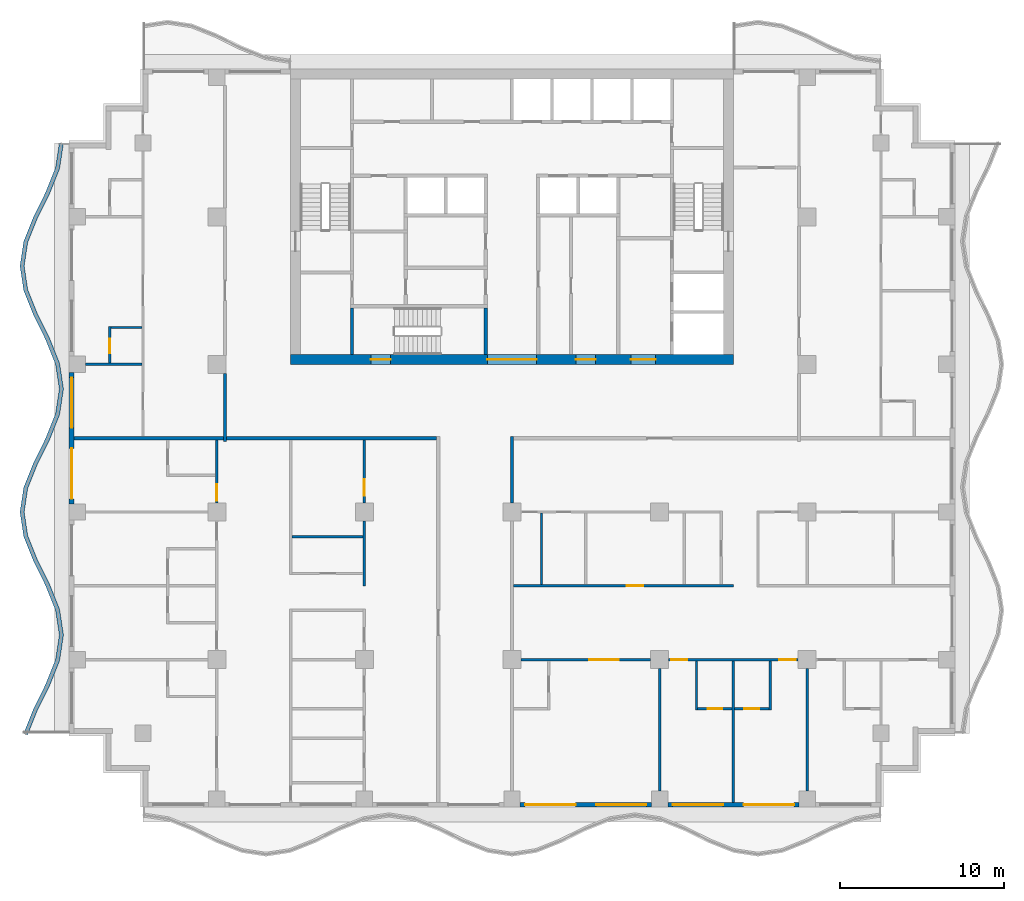
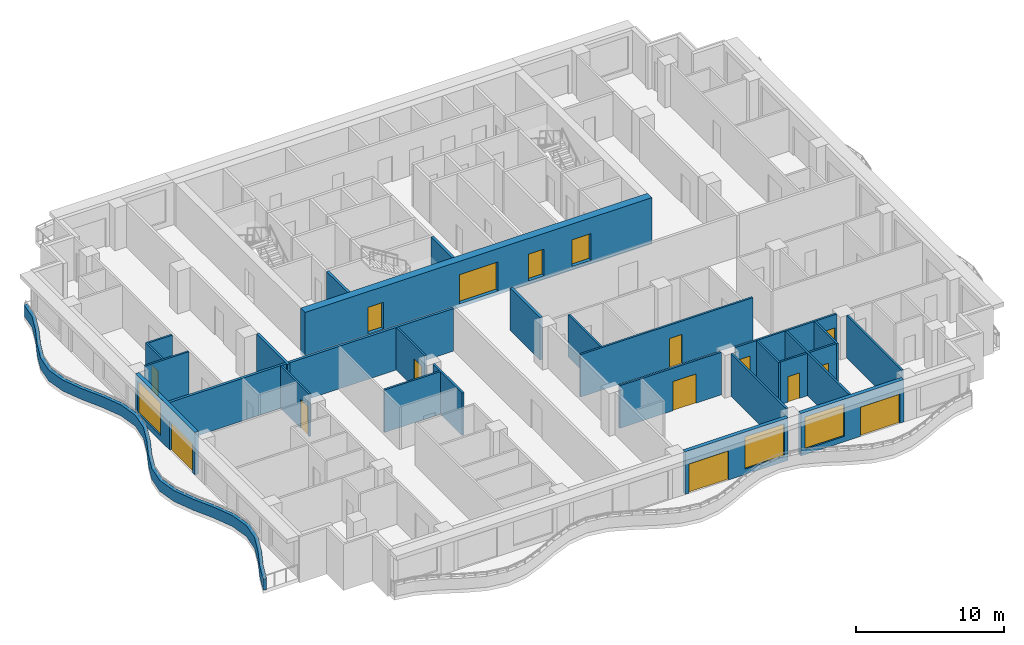
# One storey, part 3 of 12: 29 walls, 16 doors, 3 windows, 19 openings.
"""IFC4 building model written with IfcOpenShell, lengths in metres."""

from ifc_helpers import new_model, si_unit, direction, frame, frame_2d, origin, place, context, subcontext, project, spatial, polyline, rectangle, outline, extrude, material, layer, layer_set, type_object, element, fill, save


model = new_model("IFC4")

# Units and contexts
model_context = context("Model", 3, precision=1e-05, world=origin(), true_north=direction((0.0, 1.0)))
body_context = subcontext(model_context, "Body", "Model", "MODEL_VIEW")
ifc_project = project(units=[si_unit("LENGTHUNIT", "METRE"), si_unit("AREAUNIT", "SQUARE_METRE"), si_unit("VOLUMEUNIT", "CUBIC_METRE"), si_unit("PLANEANGLEUNIT", "RADIAN"), si_unit("MASSUNIT", "GRAM", prefix="KILO")], contexts=[model_context])

# Site, building, storey
site_placement = place(None, origin())
site = spatial("IfcSite", under=ifc_project, at=site_placement, CompositionType="ELEMENT")
building_placement = place(site_placement, origin())
building = spatial("IfcBuilding", under=site, at=building_placement, Name="Orbiselva Terraces", CompositionType="ELEMENT")
storey_placement = place(building_placement, frame((0.0, 0.0, 203.4)))
storey = spatial("IfcBuildingStorey", under=building, at=storey_placement, Name="L51", CompositionType="ELEMENT", Elevation=203.4)

# Wall, openings, doors
ifc_material_1 = material(Name="Concrete C80/95", Category="concrete")
ifc_layer_1 = layer(ifc_material_1, 0.6)
ifc_layer_set_1 = layer_set([ifc_layer_1], Name="Concrete C80/95")
wall_type_1 = type_object("IfcWallType", Name="CORE WALL 600", PredefinedType="SHEAR", material=ifc_layer_set_1)
wall_1_placement = place(storey_placement, frame((-13.5, 4.8, -0.3), z_axis=(0.0, 0.0, 1.0), x_axis=(1.0, 0.0, 0.0)))
wall_1 = element("IfcWall", 1, at=wall_1_placement, inside=storey, type_object=wall_type_1, Name="Core wall L51 south", PredefinedType="SHEAR", context=body_context, shape_type="SweptSolid", body=[
    extrude(rectangle(XDim=27.0, YDim=0.6, at=frame_2d((13.5, 0.0))), origin(), (0.0, 0.0, 1.0), 3.8),
])
opening_1_placement = place(wall_1_placement, frame((12.0, 0.0, 0.3)))
opening_1 = element("IfcOpeningElement", 2, at=opening_1_placement, cuts=wall_1, Name="Opening DL3000", PredefinedType="OPENING", context=body_context, shape_type="SweptSolid", body=[
    extrude(rectangle(XDim=3.0, YDim=2.4, at=frame_2d((1.5, 1.2))), frame((0.0, 0.31, 0.0), z_axis=(0.0, -1.0, 0.0), x_axis=(1.0, 0.0, 0.0)), (0.0, 0.0, 1.0), 0.62),
])
opening_2_placement = place(wall_1_placement, frame((4.9, 0.0, 0.3)))
opening_2 = element("IfcOpeningElement", 3, at=opening_2_placement, cuts=wall_1, Name="Opening DS1200", PredefinedType="OPENING", context=body_context, shape_type="SweptSolid", body=[
    extrude(rectangle(XDim=1.2, YDim=2.2, at=frame_2d((0.6, 1.1))), frame((0.0, 0.31, 0.0), z_axis=(0.0, -1.0, 0.0), x_axis=(1.0, 0.0, 0.0)), (0.0, 0.0, 1.0), 0.62),
])
opening_3_placement = place(wall_1_placement, frame((20.75, 0.0, 0.3)))
opening_3 = element("IfcOpeningElement", 4, at=opening_3_placement, cuts=wall_1, Name="Opening DF1500", PredefinedType="OPENING", context=body_context, shape_type="SweptSolid", body=[
    extrude(rectangle(XDim=1.5, YDim=2.2, at=frame_2d((0.75, 1.1))), frame((0.0, 0.31, 0.0), z_axis=(0.0, -1.0, 0.0), x_axis=(1.0, 0.0, 0.0)), (0.0, 0.0, 1.0), 0.62),
])
opening_4_placement = place(wall_1_placement, frame((17.4, 0.0, 0.3)))
opening_4 = element("IfcOpeningElement", 5, at=opening_4_placement, cuts=wall_1, Name="Opening DV1200", PredefinedType="OPENING", context=body_context, shape_type="SweptSolid", body=[
    extrude(rectangle(XDim=1.2, YDim=2.2, at=frame_2d((0.6, 1.1))), frame((0.0, 0.31, 0.0), z_axis=(0.0, -1.0, 0.0), x_axis=(1.0, 0.0, 0.0)), (0.0, 0.0, 1.0), 0.62),
])
ifc_material_2 = material(Name="Steel fire door", Category="steel")
door_type_1 = type_object("IfcDoorType", Name="FFL DOOR 1500", OperationType="DOUBLE_DOOR_SINGLE_SWING", PredefinedType="DOOR", material=ifc_material_2)
door_1_placement = place(opening_3_placement, frame((1.5, 0.0, 0.0), z_axis=(0.0, 0.0, 1.0), x_axis=(-1.0, 0.0, 0.0)))
door_1 = element("IfcDoor", 6, at=door_1_placement, inside=storey, type_object=door_type_1, Name="L51 FIRE-FIGHTING LOBBY door", OperationType="DOUBLE_DOOR_SINGLE_SWING", OverallHeight=2.2, OverallWidth=1.5, PredefinedType="DOOR", context=body_context, shape_type="SweptSolid", body=[
    extrude(rectangle(XDim=1.5, YDim=2.2, at=frame_2d((0.75, 1.1))), frame((0.0, 0.025, 0.0), z_axis=(0.0, -1.0, 0.0), x_axis=(1.0, 0.0, 0.0)), (0.0, 0.0, 1.0), 0.05),
])
fill(opening_3, door_1)
door_type_2 = type_object("IfcDoorType", Name="LOBBY DOOR 3000", OperationType="DOUBLE_DOOR_SINGLE_SWING", PredefinedType="DOOR", material=ifc_material_2)
door_2_placement = place(opening_1_placement, frame((3.0, 0.0, 0.0), z_axis=(0.0, 0.0, 1.0), x_axis=(-1.0, 0.0, 0.0)))
door_2 = element("IfcDoor", 7, at=door_2_placement, inside=storey, type_object=door_type_2, Name="L51 LIFT LOBBY door", OperationType="DOUBLE_DOOR_SINGLE_SWING", OverallHeight=2.4, OverallWidth=3.0, PredefinedType="DOOR", context=body_context, shape_type="SweptSolid", body=[
    extrude(rectangle(XDim=3.0, YDim=2.4, at=frame_2d((1.5, 1.2))), frame((0.0, 0.025, 0.0), z_axis=(0.0, -1.0, 0.0), x_axis=(1.0, 0.0, 0.0)), (0.0, 0.0, 1.0), 0.05),
])
fill(opening_1, door_2)
door_type_3 = type_object("IfcDoorType", Name="SERVICE DOOR 1200", OperationType="NOTDEFINED", PredefinedType="DOOR", material=ifc_material_2)
door_3_placement = place(opening_4_placement, frame((1.2, 0.0, 0.0), z_axis=(0.0, 0.0, 1.0), x_axis=(-1.0, 0.0, 0.0)))
door_3 = element("IfcDoor", 8, at=door_3_placement, inside=storey, type_object=door_type_3, Name="L51 SERVICE ROOM door", OperationType="SINGLE_SWING_RIGHT", OverallHeight=2.2, OverallWidth=1.2, PredefinedType="DOOR", context=body_context, shape_type="SweptSolid", body=[
    extrude(rectangle(XDim=1.2, YDim=2.2, at=frame_2d((0.6, 1.1))), frame((0.0, 0.025, 0.0), z_axis=(0.0, -1.0, 0.0), x_axis=(1.0, 0.0, 0.0)), (0.0, 0.0, 1.0), 0.05),
])
fill(opening_4, door_3)
door_type_4 = type_object("IfcDoorType", Name="STAIR DOOR 1200", OperationType="NOTDEFINED", PredefinedType="DOOR", material=ifc_material_2)
door_4_placement = place(opening_2_placement, frame((1.2, 0.0, 0.0), z_axis=(0.0, 0.0, 1.0), x_axis=(-1.0, 0.0, 0.0)))
door_4 = element("IfcDoor", 9, at=door_4_placement, inside=storey, type_object=door_type_4, Name="L51 EXIT STAIR S3 door", OperationType="SINGLE_SWING_LEFT", OverallHeight=2.2, OverallWidth=1.2, PredefinedType="DOOR", context=body_context, shape_type="SweptSolid", body=[
    extrude(rectangle(XDim=1.2, YDim=2.2, at=frame_2d((0.6, 1.1))), frame((0.0, 0.025, 0.0), z_axis=(0.0, -1.0, 0.0), x_axis=(1.0, 0.0, 0.0)), (0.0, 0.0, 1.0), 0.05),
])
fill(opening_2, door_4)

# Walls
ifc_material_3 = material(Name="Concrete C60/75", Category="concrete")
ifc_layer_2 = layer(ifc_material_3, 0.2)
ifc_layer_set_2 = layer_set([ifc_layer_2], Name="Concrete C60/75")
wall_type_2 = type_object("IfcWallType", Name="CORE-WALL-SHEAR-200", PredefinedType="SHEAR", material=ifc_layer_set_2)
for number, where, z_axis, x_axis, name in (
    (10, (-9.75, 5.1, 0.0), (0.0, 0.0, 1.0), (0.0, 1.0, 0.0), "L51 core wall 03"),
    (11, (-1.6, 5.1, 0.0), (0.0, 0.0, 1.0), (0.0, 1.0, 0.0), "L51 core wall 22"),
):
    element("IfcWall", number, at=place(storey_placement, frame(where, z_axis=z_axis, x_axis=x_axis)), inside=storey, type_object=wall_type_2, Name=name, PredefinedType="SHEAR", context=body_context, shape_type="SweptSolid", body=[
        extrude(rectangle(XDim=2.85, YDim=0.2, at=frame_2d((1.425, 0.0))), origin(), (0.0, 0.0, 1.0), 3.5),
    ])
ifc_material_4 = material(Name="Concrete C40/50", Category="concrete")
ifc_layer_3 = layer(ifc_material_4, 0.25)
ifc_layer_set_3 = layer_set([ifc_layer_3], Name="Concrete C40/50")
wall_type_3 = type_object("IfcWallType", Name="ENV-PLANTER-250x900", PredefinedType="USERDEFINED", material=ifc_layer_set_3)
wall_2_placement = place(storey_placement, origin())
element("IfcWall", 12, at=wall_2_placement, inside=storey, type_object=wall_type_3, Name="Balcony planter L51 W", ObjectType="PLANTER", PredefinedType="USERDEFINED", context=body_context, shape_type="SweptSolid", body=[
    extrude(outline(polyline([(-27.6, 18.0), (-27.82918, 16.5), (-28.42918, 15.0), (-29.17082, 13.5), (-29.77082, 12.0), (-30.0, 10.5), (-29.77082, 9.0), (-29.17082, 7.5), (-28.42918, 6.0), (-27.82918, 4.5), (-27.6, 3.0), (-27.82918, 1.5), (-28.42918, 0.0), (-29.17082, -1.5), (-29.77082, -3.0), (-30.0, -4.5), (-29.77082, -6.0), (-29.17082, -7.5), (-28.42918, -9.0), (-27.82918, -10.5), (-27.6, -12.0), (-27.82918, -13.5), (-28.42918, -15.0), (-29.17082, -16.5), (-29.77082, -18.0), (-29.538701, -18.092848), (-28.942355, -16.601983), (-28.200715, -15.101983), (-27.586388, -13.566166), (-27.347099, -12.0), (-27.586388, -10.433834), (-28.200715, -8.898017), (-28.942355, -7.398017), (-29.528028, -5.933834), (-29.747099, -4.5), (-29.528028, -3.066166), (-28.942355, -1.601983), (-28.200715, -0.101983), (-27.586388, 1.433834), (-27.347099, 3.0), (-27.586388, 4.566166), (-28.200715, 6.101983), (-28.942355, 7.601983), (-29.528028, 9.066166), (-29.747099, 10.5), (-29.528028, 11.933834), (-28.942355, 13.398017), (-28.200715, 14.898017), (-27.586388, 16.433834), (-27.352868, 17.962242), (-27.6, 18.0)])), origin(), (0.0, 0.0, 1.0), 0.9),
])

# Wall, openings, door, window
ifc_material_5 = material(Name="Terracotta cladding on masonry backing", Category="masonry")
ifc_layer_4 = layer(ifc_material_5, 0.3)
ifc_layer_set_4 = layer_set([ifc_layer_4], Name="Terracotta cladding on masonry backing")
wall_type_4 = type_object("IfcWallType", Name="ENV-WALL-TERRACOTTA-300", PredefinedType="SOLIDWALL", material=ifc_layer_set_4)
wall_3_placement = place(storey_placement, frame((8.5, -22.35, 0.0), z_axis=(0.0, 0.0, 1.0), x_axis=(-1.0, 0.0, 0.0)))
wall_3 = element("IfcWall", 13, at=wall_3_placement, inside=storey, type_object=wall_type_4, Name="Facade wall L51 S", PredefinedType="SOLIDWALL", context=body_context, shape_type="SweptSolid", body=[
    extrude(rectangle(XDim=8.0, YDim=0.3, at=frame_2d((4.0, 0.0))), origin(), (0.0, 0.0, 1.0), 3.5),
])
opening_5_placement = place(wall_3_placement, frame((4.625, 0.0, 0.0)))
opening_5 = element("IfcOpeningElement", 14, at=opening_5_placement, cuts=wall_3, Name="Opening Z4-B-E12", PredefinedType="OPENING", context=body_context, shape_type="SweptSolid", body=[
    extrude(rectangle(XDim=3.075, YDim=2.4, at=frame_2d((1.5375, 1.2))), frame((0.0, 0.16, 0.0), z_axis=(0.0, -1.0, 0.0), x_axis=(1.0, 0.0, 0.0)), (0.0, 0.0, 1.0), 0.32),
])
opening_6_placement = place(wall_3_placement, frame((0.3, 0.0, 0.45)))
opening_6 = element("IfcOpeningElement", 15, at=opening_6_placement, cuts=wall_3, Name="Opening WN15", PredefinedType="OPENING", context=body_context, shape_type="SweptSolid", body=[
    extrude(rectangle(XDim=3.075, YDim=2.65, at=frame_2d((1.5375, 1.325))), frame((0.0, 0.16, 0.0), z_axis=(0.0, -1.0, 0.0), x_axis=(1.0, 0.0, 0.0)), (0.0, 0.0, 1.0), 0.32),
])
ifc_material_6 = material(Name="Clear low-e glazing in aluminium frame", Category="aluminium")
door_type_5 = type_object("IfcDoorType", Name="BALCONY DOOR 3075 X 2400", OperationType="DOUBLE_DOOR_SLIDING", PredefinedType="DOOR", material=ifc_material_6)
door_5_placement = place(opening_5_placement, origin())
door_5 = element("IfcDoor", 16, at=door_5_placement, inside=storey, type_object=door_type_5, Name="Z4-B-E12", OperationType="SINGLE_SWING_LEFT", OverallHeight=2.4, OverallWidth=3.075, PredefinedType="DOOR", context=body_context, shape_type="SweptSolid", body=[
    extrude(rectangle(XDim=3.075, YDim=2.4, at=frame_2d((1.5375, 1.2))), frame((0.0, 0.025, 0.0), z_axis=(0.0, -1.0, 0.0), x_axis=(1.0, 0.0, 0.0)), (0.0, 0.0, 1.0), 0.05),
])
fill(opening_5, door_5)
window_type = type_object("IfcWindowType", Name="WINDOW 3075 X 2650 S450", PartitioningType="TRIPLE_PANEL_VERTICAL", PredefinedType="WINDOW", material=ifc_material_6)
window_1_placement = place(opening_6_placement, origin())
window_1 = element("IfcWindow", 17, at=window_1_placement, inside=storey, type_object=window_type, Name="Window L51 S", OverallHeight=2.65, OverallWidth=3.075, PartitioningType="SINGLE_PANEL", PredefinedType="WINDOW", context=body_context, shape_type="SweptSolid", body=[
    extrude(rectangle(XDim=3.075, YDim=2.65, at=frame_2d((1.5375, 1.325))), frame((0.0, 0.03, 0.0), z_axis=(0.0, -1.0, 0.0), x_axis=(1.0, 0.0, 0.0)), (0.0, 0.0, 1.0), 0.06),
])
fill(opening_6, window_1)

wall_4_placement = place(storey_placement, frame((17.5, -22.35, 0.0), z_axis=(0.0, 0.0, 1.0), x_axis=(-1.0, 0.0, 0.0)))
wall_4 = element("IfcWall", 18, at=wall_4_placement, inside=storey, type_object=wall_type_4, Name="Facade wall L51 S", PredefinedType="SOLIDWALL", context=body_context, shape_type="SweptSolid", body=[
    extrude(rectangle(XDim=8.0, YDim=0.3, at=frame_2d((4.0, 0.0))), origin(), (0.0, 0.0, 1.0), 3.5),
])
opening_7_placement = place(wall_4_placement, frame((4.625, 0.0, 0.45)))
opening_7 = element("IfcOpeningElement", 19, at=opening_7_placement, cuts=wall_4, Name="Opening WN15", PredefinedType="OPENING", context=body_context, shape_type="SweptSolid", body=[
    extrude(rectangle(XDim=3.075, YDim=2.65, at=frame_2d((1.5375, 1.325))), frame((0.0, 0.16, 0.0), z_axis=(0.0, -1.0, 0.0), x_axis=(1.0, 0.0, 0.0)), (0.0, 0.0, 1.0), 0.32),
])
opening_8_placement = place(wall_4_placement, frame((0.3, 0.0, 0.0)))
opening_8 = element("IfcOpeningElement", 20, at=opening_8_placement, cuts=wall_4, Name="Opening Z4-B-E13", PredefinedType="OPENING", context=body_context, shape_type="SweptSolid", body=[
    extrude(rectangle(XDim=3.075, YDim=2.4, at=frame_2d((1.5375, 1.2))), frame((0.0, 0.16, 0.0), z_axis=(0.0, -1.0, 0.0), x_axis=(1.0, 0.0, 0.0)), (0.0, 0.0, 1.0), 0.32),
])
door_6_placement = place(opening_8_placement, origin())
door_6 = element("IfcDoor", 21, at=door_6_placement, inside=storey, type_object=door_type_5, Name="Z4-B-E13", OperationType="SINGLE_SWING_LEFT", OverallHeight=2.4, OverallWidth=3.075, PredefinedType="DOOR", context=body_context, shape_type="SweptSolid", body=[
    extrude(rectangle(XDim=3.075, YDim=2.4, at=frame_2d((1.5375, 1.2))), frame((0.0, 0.025, 0.0), z_axis=(0.0, -1.0, 0.0), x_axis=(1.0, 0.0, 0.0)), (0.0, 0.0, 1.0), 0.05),
])
fill(opening_8, door_6)
window_2_placement = place(opening_7_placement, origin())
window_2 = element("IfcWindow", 22, at=window_2_placement, inside=storey, type_object=window_type, Name="Window L51 S", OverallHeight=2.65, OverallWidth=3.075, PartitioningType="SINGLE_PANEL", PredefinedType="WINDOW", context=body_context, shape_type="SweptSolid", body=[
    extrude(rectangle(XDim=3.075, YDim=2.65, at=frame_2d((1.5375, 1.325))), frame((0.0, 0.03, 0.0), z_axis=(0.0, -1.0, 0.0), x_axis=(1.0, 0.0, 0.0)), (0.0, 0.0, 1.0), 0.06),
])
fill(opening_7, window_2)

wall_5_placement = place(storey_placement, frame((-26.85, -4.0, 0.0), z_axis=(0.0, 0.0, 1.0), x_axis=(0.0, 1.0, 0.0)))
wall_5 = element("IfcWall", 23, at=wall_5_placement, inside=storey, type_object=wall_type_4, Name="Facade wall L51 W", PredefinedType="SOLIDWALL", context=body_context, shape_type="SweptSolid", body=[
    extrude(rectangle(XDim=8.0, YDim=0.3, at=frame_2d((4.0, 0.0))), origin(), (0.0, 0.0, 1.0), 3.5),
])
opening_9_placement = place(wall_5_placement, frame((4.625, 0.0, 0.45)))
opening_9 = element("IfcOpeningElement", 24, at=opening_9_placement, cuts=wall_5, Name="Opening WN15", PredefinedType="OPENING", context=body_context, shape_type="SweptSolid", body=[
    extrude(rectangle(XDim=3.075, YDim=2.65, at=frame_2d((1.5375, 1.325))), frame((0.0, 0.16, 0.0), z_axis=(0.0, -1.0, 0.0), x_axis=(1.0, 0.0, 0.0)), (0.0, 0.0, 1.0), 0.32),
])
opening_10_placement = place(wall_5_placement, frame((0.3, 0.0, 0.0)))
opening_10 = element("IfcOpeningElement", 25, at=opening_10_placement, cuts=wall_5, Name="Opening Z4-B-E24", PredefinedType="OPENING", context=body_context, shape_type="SweptSolid", body=[
    extrude(rectangle(XDim=3.075, YDim=2.4, at=frame_2d((1.5375, 1.2))), frame((0.0, 0.16, 0.0), z_axis=(0.0, -1.0, 0.0), x_axis=(1.0, 0.0, 0.0)), (0.0, 0.0, 1.0), 0.32),
])
door_7_placement = place(opening_10_placement, origin())
door_7 = element("IfcDoor", 26, at=door_7_placement, inside=storey, type_object=door_type_5, Name="Z4-B-E24", OperationType="SINGLE_SWING_LEFT", OverallHeight=2.4, OverallWidth=3.075, PredefinedType="DOOR", context=body_context, shape_type="SweptSolid", body=[
    extrude(rectangle(XDim=3.075, YDim=2.4, at=frame_2d((1.5375, 1.2))), frame((0.0, 0.025, 0.0), z_axis=(0.0, -1.0, 0.0), x_axis=(1.0, 0.0, 0.0)), (0.0, 0.0, 1.0), 0.05),
])
fill(opening_10, door_7)
window_3_placement = place(opening_9_placement, origin())
window_3 = element("IfcWindow", 27, at=window_3_placement, inside=storey, type_object=window_type, Name="Window L51 W", OverallHeight=2.65, OverallWidth=3.075, PartitioningType="SINGLE_PANEL", PredefinedType="WINDOW", context=body_context, shape_type="SweptSolid", body=[
    extrude(rectangle(XDim=3.075, YDim=2.65, at=frame_2d((1.5375, 1.325))), frame((0.0, 0.03, 0.0), z_axis=(0.0, -1.0, 0.0), x_axis=(1.0, 0.0, 0.0)), (0.0, 0.0, 1.0), 0.06),
])
fill(opening_9, window_3)

# Walls
ifc_material_7 = material(Name="Plasterboard on steel stud partition", Category="steel")
ifc_layer_5 = layer(ifc_material_7, 0.2)
ifc_layer_set_5 = layer_set([ifc_layer_5], Name="Plasterboard on steel stud partition")
wall_type_5 = type_object("IfcWallType", Name="UNIT-ENTRANCE-WALL-200", PredefinedType="PARTITIONING", material=ifc_layer_set_5)
wall_6_placement = place(storey_placement, frame((-17.4, 0.0, 0.0), z_axis=(0.0, 0.0, 1.0), x_axis=(1.0, 0.0, 0.0)))
element("IfcWall", 28, at=wall_6_placement, inside=storey, type_object=wall_type_5, Name="PARTITION L51-029", PredefinedType="PARTITIONING", context=body_context, shape_type="SweptSolid", body=[
    extrude(rectangle(XDim=12.8, YDim=0.2, at=frame_2d((6.4, 0.0))), origin(), (0.0, 0.0, 1.0), 3.5),
])
wall_7_placement = place(storey_placement, frame((-17.5, -0.2, 0.0), z_axis=(0.0, 0.0, 1.0), x_axis=(0.0, 1.0, 0.0)))
element("IfcWall", 29, at=wall_7_placement, inside=storey, type_object=wall_type_5, Name="PARTITION L51-052", PredefinedType="PARTITIONING", context=body_context, shape_type="SweptSolid", body=[
    extrude(rectangle(XDim=4.15, YDim=0.2, at=frame_2d((2.075, 0.0))), origin(), (0.0, 0.0, 1.0), 3.5),
])
wall_8_placement = place(storey_placement, frame((0.0, -3.95, 0.0), z_axis=(0.0, 0.0, 1.0), x_axis=(0.0, 1.0, 0.0)))
element("IfcWall", 30, at=wall_8_placement, inside=storey, type_object=wall_type_5, Name="PARTITION L51-064", PredefinedType="PARTITIONING", context=body_context, shape_type="SweptSolid", body=[
    extrude(rectangle(XDim=4.05, YDim=0.2, at=frame_2d((2.025, 0.0))), origin(), (0.0, 0.0, 1.0), 3.5),
])

# Wall, opening, door
ifc_layer_6 = layer(ifc_material_7, 0.15)
ifc_layer_set_6 = layer_set([ifc_layer_6], Name="Plasterboard on steel stud partition")
wall_type_6 = type_object("IfcWallType", Name="UNIT-PARTITION-150", PredefinedType="PARTITIONING", material=ifc_layer_set_6)
wall_9_placement = place(storey_placement, frame((11.325, -16.5, 0.0), z_axis=(0.0, 0.0, 1.0), x_axis=(1.0, 0.0, 0.0)))
wall_9 = element("IfcWall", 31, at=wall_9_placement, inside=storey, type_object=wall_type_6, Name="PARTITION L51-005", PredefinedType="PARTITIONING", context=body_context, shape_type="SweptSolid", body=[
    extrude(rectangle(XDim=2.1, YDim=0.15, at=frame_2d((1.05, 0.0))), origin(), (0.0, 0.0, 1.0), 3.5),
])
opening_11_placement = place(wall_9_placement, frame((0.6, 0.0, 0.0)))
opening_11 = element("IfcOpeningElement", 32, at=opening_11_placement, cuts=wall_9, Name="Opening Z4-B-41", PredefinedType="OPENING", context=body_context, shape_type="SweptSolid", body=[
    extrude(rectangle(XDim=0.9, YDim=2.1, at=frame_2d((0.45, 1.05))), frame((0.0, 0.085, 0.0), z_axis=(0.0, -1.0, 0.0), x_axis=(1.0, 0.0, 0.0)), (0.0, 0.0, 1.0), 0.17),
])
ifc_material_8 = material(Name="Painted timber door leaf", Category="wood")
door_type_6 = type_object("IfcDoorType", Name="BATH DOOR 900", OperationType="NOTDEFINED", PredefinedType="DOOR", material=ifc_material_8)
door_8_placement = place(opening_11_placement, origin())
door_8 = element("IfcDoor", 33, at=door_8_placement, inside=storey, type_object=door_type_6, Name="Z4-B-41", OperationType="SINGLE_SWING_LEFT", OverallHeight=2.1, OverallWidth=0.9, PredefinedType="DOOR", context=body_context, shape_type="SweptSolid", body=[
    extrude(rectangle(XDim=0.9, YDim=2.1, at=frame_2d((0.45, 1.05))), frame((0.0, 0.025, 0.0), z_axis=(0.0, -1.0, 0.0), x_axis=(1.0, 0.0, 0.0)), (0.0, 0.0, 1.0), 0.05),
])
fill(opening_11, door_8)

wall_10_placement = place(storey_placement, frame((13.575, -16.5, 0.0), z_axis=(0.0, 0.0, 1.0), x_axis=(1.0, 0.0, 0.0)))
wall_10 = element("IfcWall", 34, at=wall_10_placement, inside=storey, type_object=wall_type_6, Name="PARTITION L51-006", PredefinedType="PARTITIONING", context=body_context, shape_type="SweptSolid", body=[
    extrude(rectangle(XDim=2.1, YDim=0.15, at=frame_2d((1.05, 0.0))), origin(), (0.0, 0.0, 1.0), 3.5),
])
opening_12_placement = place(wall_10_placement, frame((0.6, 0.0, 0.0)))
opening_12 = element("IfcOpeningElement", 35, at=opening_12_placement, cuts=wall_10, Name="Opening Z4-B-43", PredefinedType="OPENING", context=body_context, shape_type="SweptSolid", body=[
    extrude(rectangle(XDim=0.9, YDim=2.1, at=frame_2d((0.45, 1.05))), frame((0.0, 0.085, 0.0), z_axis=(0.0, -1.0, 0.0), x_axis=(1.0, 0.0, 0.0)), (0.0, 0.0, 1.0), 0.17),
])
door_9_placement = place(opening_12_placement, origin())
door_9 = element("IfcDoor", 36, at=door_9_placement, inside=storey, type_object=door_type_6, Name="Z4-B-43", OperationType="SINGLE_SWING_LEFT", OverallHeight=2.1, OverallWidth=0.9, PredefinedType="DOOR", context=body_context, shape_type="SweptSolid", body=[
    extrude(rectangle(XDim=0.9, YDim=2.1, at=frame_2d((0.45, 1.05))), frame((0.0, 0.025, 0.0), z_axis=(0.0, -1.0, 0.0), x_axis=(1.0, 0.0, 0.0)), (0.0, 0.0, 1.0), 0.05),
])
fill(opening_12, door_9)

wall_11_placement = place(storey_placement, frame((8.45, -13.5, 0.0), z_axis=(0.0, 0.0, 1.0), x_axis=(-1.0, 0.0, 0.0)))
wall_11 = element("IfcWall", 37, at=wall_11_placement, inside=storey, type_object=wall_type_6, Name="PARTITION L51-011", PredefinedType="PARTITIONING", context=body_context, shape_type="SweptSolid", body=[
    extrude(rectangle(XDim=7.9, YDim=0.15, at=frame_2d((3.95, 0.0))), origin(), (0.0, 0.0, 1.0), 3.5),
])
opening_13_placement = place(wall_11_placement, frame((1.95, 0.0, 0.0)))
opening_13 = element("IfcOpeningElement", 38, at=opening_13_placement, cuts=wall_11, Name="Opening Z4-B-38", PredefinedType="OPENING", context=body_context, shape_type="SweptSolid", body=[
    extrude(rectangle(XDim=1.8, YDim=2.4, at=frame_2d((0.9, 1.2))), frame((0.0, 0.085, 0.0), z_axis=(0.0, -1.0, 0.0), x_axis=(1.0, 0.0, 0.0)), (0.0, 0.0, 1.0), 0.17),
])
door_type_7 = type_object("IfcDoorType", Name="DOUBLE DOOR 1800", OperationType="NOTDEFINED", PredefinedType="DOOR", material=ifc_material_8)
door_10_placement = place(opening_13_placement, origin())
door_10 = element("IfcDoor", 39, at=door_10_placement, inside=storey, type_object=door_type_7, Name="Z4-B-38", OperationType="DOUBLE_DOOR_SINGLE_SWING", OverallHeight=2.4, OverallWidth=1.8, PredefinedType="DOOR", context=body_context, shape_type="SweptSolid", body=[
    extrude(rectangle(XDim=1.8, YDim=2.4, at=frame_2d((0.9, 1.2))), frame((0.0, 0.025, 0.0), z_axis=(0.0, -1.0, 0.0), x_axis=(1.0, 0.0, 0.0)), (0.0, 0.0, 1.0), 0.05),
])
fill(opening_13, door_10)

# Wall, openings, doors
wall_12_placement = place(storey_placement, frame((17.45, -13.5, 0.0), z_axis=(0.0, 0.0, 1.0), x_axis=(-1.0, 0.0, 0.0)))
wall_12 = element("IfcWall", 40, at=wall_12_placement, inside=storey, type_object=wall_type_6, Name="PARTITION L51-012", PredefinedType="PARTITIONING", context=body_context, shape_type="SweptSolid", body=[
    extrude(rectangle(XDim=7.9, YDim=0.15, at=frame_2d((3.95, 0.0))), origin(), (0.0, 0.0, 1.0), 3.5),
])
opening_14_placement = place(wall_12_placement, frame((6.75, 0.0, 0.0)))
opening_14 = element("IfcOpeningElement", 41, at=opening_14_placement, cuts=wall_12, Name="Opening Z4-B-40", PredefinedType="OPENING", context=body_context, shape_type="SweptSolid", body=[
    extrude(rectangle(XDim=1.0, YDim=2.4, at=frame_2d((0.5, 1.2))), frame((0.0, 0.085, 0.0), z_axis=(0.0, -1.0, 0.0), x_axis=(1.0, 0.0, 0.0)), (0.0, 0.0, 1.0), 0.17),
])
opening_15_placement = place(wall_12_placement, frame((0.15, 0.0, 0.0)))
opening_15 = element("IfcOpeningElement", 42, at=opening_15_placement, cuts=wall_12, Name="Opening Z4-B-42", PredefinedType="OPENING", context=body_context, shape_type="SweptSolid", body=[
    extrude(rectangle(XDim=1.0, YDim=2.4, at=frame_2d((0.5, 1.2))), frame((0.0, 0.085, 0.0), z_axis=(0.0, -1.0, 0.0), x_axis=(1.0, 0.0, 0.0)), (0.0, 0.0, 1.0), 0.17),
])
door_type_8 = type_object("IfcDoorType", Name="ROOM DOOR 1000", OperationType="NOTDEFINED", PredefinedType="DOOR", material=ifc_material_8)
door_11_placement = place(opening_14_placement, origin())
door_11 = element("IfcDoor", 43, at=door_11_placement, inside=storey, type_object=door_type_8, Name="Z4-B-40", OperationType="SINGLE_SWING_RIGHT", OverallHeight=2.4, OverallWidth=1.0, PredefinedType="DOOR", context=body_context, shape_type="SweptSolid", body=[
    extrude(rectangle(XDim=1.0, YDim=2.4, at=frame_2d((0.5, 1.2))), frame((0.0, 0.025, 0.0), z_axis=(0.0, -1.0, 0.0), x_axis=(1.0, 0.0, 0.0)), (0.0, 0.0, 1.0), 0.05),
])
fill(opening_14, door_11)
door_12_placement = place(opening_15_placement, origin())
door_12 = element("IfcDoor", 44, at=door_12_placement, inside=storey, type_object=door_type_8, Name="Z4-B-42", OperationType="SINGLE_SWING_LEFT", OverallHeight=2.4, OverallWidth=1.0, PredefinedType="DOOR", context=body_context, shape_type="SweptSolid", body=[
    extrude(rectangle(XDim=1.0, YDim=2.4, at=frame_2d((0.5, 1.2))), frame((0.0, 0.025, 0.0), z_axis=(0.0, -1.0, 0.0), x_axis=(1.0, 0.0, 0.0)), (0.0, 0.0, 1.0), 0.05),
])
fill(opening_15, door_12)

# Wall, opening, door
wall_13_placement = place(storey_placement, frame((0.1, -9.0, 0.0), z_axis=(0.0, 0.0, 1.0), x_axis=(1.0, 0.0, 0.0)))
wall_13 = element("IfcWall", 45, at=wall_13_placement, inside=storey, type_object=wall_type_6, Name="PARTITION L51-018", PredefinedType="PARTITIONING", context=body_context, shape_type="SweptSolid", body=[
    extrude(rectangle(XDim=13.4, YDim=0.15, at=frame_2d((6.7, 0.0))), origin(), (0.0, 0.0, 1.0), 3.5),
])
opening_16_placement = place(wall_13_placement, frame((6.9, 0.0, 0.0)))
opening_16 = element("IfcOpeningElement", 46, at=opening_16_placement, cuts=wall_13, Name="Opening Z4-B-33", PredefinedType="OPENING", context=body_context, shape_type="SweptSolid", body=[
    extrude(rectangle(XDim=1.0, YDim=2.4, at=frame_2d((0.5, 1.2))), frame((0.0, 0.085, 0.0), z_axis=(0.0, -1.0, 0.0), x_axis=(1.0, 0.0, 0.0)), (0.0, 0.0, 1.0), 0.17),
])
door_13_placement = place(opening_16_placement, origin())
door_13 = element("IfcDoor", 47, at=door_13_placement, inside=storey, type_object=door_type_8, Name="Z4-B-33", OperationType="SINGLE_SWING_RIGHT", OverallHeight=2.4, OverallWidth=1.0, PredefinedType="DOOR", context=body_context, shape_type="SweptSolid", body=[
    extrude(rectangle(XDim=1.0, YDim=2.4, at=frame_2d((0.5, 1.2))), frame((0.0, 0.025, 0.0), z_axis=(0.0, -1.0, 0.0), x_axis=(1.0, 0.0, 0.0)), (0.0, 0.0, 1.0), 0.05),
])
fill(opening_16, door_13)

# Walls
wall_14_placement = place(storey_placement, frame((-13.425, -6.0, 0.0), z_axis=(0.0, 0.0, 1.0), x_axis=(1.0, 0.0, 0.0)))
element("IfcWall", 48, at=wall_14_placement, inside=storey, type_object=wall_type_6, Name="PARTITION L51-022", PredefinedType="PARTITIONING", context=body_context, shape_type="SweptSolid", body=[
    extrude(rectangle(XDim=4.35, YDim=0.15, at=frame_2d((2.175, 0.0))), origin(), (0.0, 0.0, 1.0), 3.5),
])
wall_15_placement = place(storey_placement, frame((-26.0, 4.5, 0.0), z_axis=(0.0, 0.0, 1.0), x_axis=(1.0, 0.0, 0.0)))
element("IfcWall", 49, at=wall_15_placement, inside=storey, type_object=wall_type_6, Name="PARTITION L51-034", PredefinedType="PARTITIONING", context=body_context, shape_type="SweptSolid", body=[
    extrude(rectangle(XDim=3.425, YDim=0.15, at=frame_2d((1.7125, 0.0))), origin(), (0.0, 0.0, 1.0), 3.5),
])
wall_16_placement = place(storey_placement, frame((-24.45, 6.75, 0.0), z_axis=(0.0, 0.0, 1.0), x_axis=(1.0, 0.0, 0.0)))
element("IfcWall", 50, at=wall_16_placement, inside=storey, type_object=wall_type_6, Name="PARTITION L51-035", PredefinedType="PARTITIONING", context=body_context, shape_type="SweptSolid", body=[
    extrude(rectangle(XDim=1.875, YDim=0.15, at=frame_2d((0.9375, 0.0))), origin(), (0.0, 0.0, 1.0), 3.5),
])

# Wall, opening, door
wall_17_placement = place(storey_placement, frame((-24.525, 6.825, 0.0), z_axis=(0.0, 0.0, 1.0), x_axis=(0.0, -1.0, 0.0)))
wall_17 = element("IfcWall", 51, at=wall_17_placement, inside=storey, type_object=wall_type_6, Name="PARTITION L51-042", PredefinedType="PARTITIONING", context=body_context, shape_type="SweptSolid", body=[
    extrude(rectangle(XDim=2.25, YDim=0.15, at=frame_2d((1.125, 0.0))), origin(), (0.0, 0.0, 1.0), 3.5),
])
opening_17_placement = place(wall_17_placement, frame((0.75, 0.0, 0.0)))
opening_17 = element("IfcOpeningElement", 52, at=opening_17_placement, cuts=wall_17, Name="Opening Z4-B-05", PredefinedType="OPENING", context=body_context, shape_type="SweptSolid", body=[
    extrude(rectangle(XDim=0.9, YDim=2.1, at=frame_2d((0.45, 1.05))), frame((0.0, 0.085, 0.0), z_axis=(0.0, -1.0, 0.0), x_axis=(1.0, 0.0, 0.0)), (0.0, 0.0, 1.0), 0.17),
])
door_14_placement = place(opening_17_placement, origin())
door_14 = element("IfcDoor", 53, at=door_14_placement, inside=storey, type_object=door_type_6, Name="Z4-B-05", OperationType="SINGLE_SWING_RIGHT", OverallHeight=2.1, OverallWidth=0.9, PredefinedType="DOOR", context=body_context, shape_type="SweptSolid", body=[
    extrude(rectangle(XDim=0.9, YDim=2.1, at=frame_2d((0.45, 1.05))), frame((0.0, 0.025, 0.0), z_axis=(0.0, -1.0, 0.0), x_axis=(1.0, 0.0, 0.0)), (0.0, 0.0, 1.0), 0.05),
])
fill(opening_17, door_14)

wall_18_placement = place(storey_placement, frame((-18.0, -3.95, 0.0), z_axis=(0.0, 0.0, 1.0), x_axis=(0.0, 1.0, 0.0)))
wall_18 = element("IfcWall", 54, at=wall_18_placement, inside=storey, type_object=wall_type_6, Name="PARTITION L51-051", PredefinedType="PARTITIONING", context=body_context, shape_type="SweptSolid", body=[
    extrude(rectangle(XDim=3.85, YDim=0.15, at=frame_2d((1.925, 0.0))), origin(), (0.0, 0.0, 1.0), 3.5),
])
opening_18_placement = place(wall_18_placement, frame((0.15, 0.0, 0.0)))
opening_18 = element("IfcOpeningElement", 55, at=opening_18_placement, cuts=wall_18, Name="Opening Z4-B-22", PredefinedType="OPENING", context=body_context, shape_type="SweptSolid", body=[
    extrude(rectangle(XDim=1.0, YDim=2.4, at=frame_2d((0.5, 1.2))), frame((0.0, 0.085, 0.0), z_axis=(0.0, -1.0, 0.0), x_axis=(1.0, 0.0, 0.0)), (0.0, 0.0, 1.0), 0.17),
])
door_15_placement = place(opening_18_placement, origin())
door_15 = element("IfcDoor", 56, at=door_15_placement, inside=storey, type_object=door_type_8, Name="Z4-B-22", OperationType="SINGLE_SWING_LEFT", OverallHeight=2.4, OverallWidth=1.0, PredefinedType="DOOR", context=body_context, shape_type="SweptSolid", body=[
    extrude(rectangle(XDim=1.0, YDim=2.4, at=frame_2d((0.5, 1.2))), frame((0.0, 0.025, 0.0), z_axis=(0.0, -1.0, 0.0), x_axis=(1.0, 0.0, 0.0)), (0.0, 0.0, 1.0), 0.05),
])
fill(opening_18, door_15)

# Wall
wall_19_placement = place(storey_placement, frame((-9.0, -9.0, 0.0), z_axis=(0.0, 0.0, 1.0), x_axis=(0.0, 1.0, 0.0)))
element("IfcWall", 57, at=wall_19_placement, inside=storey, type_object=wall_type_6, Name="PARTITION L51-059", PredefinedType="PARTITIONING", context=body_context, shape_type="SweptSolid", body=[
    extrude(rectangle(XDim=3.95, YDim=0.15, at=frame_2d((1.975, 0.0))), origin(), (0.0, 0.0, 1.0), 3.5),
])

# Wall, opening, door
wall_20_placement = place(storey_placement, frame((-9.0, -3.95, 0.0), z_axis=(0.0, 0.0, 1.0), x_axis=(0.0, 1.0, 0.0)))
wall_20 = element("IfcWall", 58, at=wall_20_placement, inside=storey, type_object=wall_type_6, Name="PARTITION L51-060", PredefinedType="PARTITIONING", context=body_context, shape_type="SweptSolid", body=[
    extrude(rectangle(XDim=3.85, YDim=0.15, at=frame_2d((1.925, 0.0))), origin(), (0.0, 0.0, 1.0), 3.5),
])
opening_19_placement = place(wall_20_placement, frame((0.45, 0.0, 0.0)))
opening_19 = element("IfcOpeningElement", 59, at=opening_19_placement, cuts=wall_20, Name="Opening Z4-B-15", PredefinedType="OPENING", context=body_context, shape_type="SweptSolid", body=[
    extrude(rectangle(XDim=1.0, YDim=2.4, at=frame_2d((0.5, 1.2))), frame((0.0, 0.085, 0.0), z_axis=(0.0, -1.0, 0.0), x_axis=(1.0, 0.0, 0.0)), (0.0, 0.0, 1.0), 0.17),
])
door_16_placement = place(opening_19_placement, origin())
door_16 = element("IfcDoor", 60, at=door_16_placement, inside=storey, type_object=door_type_8, Name="Z4-B-15", OperationType="SINGLE_SWING_LEFT", OverallHeight=2.4, OverallWidth=1.0, PredefinedType="DOOR", context=body_context, shape_type="SweptSolid", body=[
    extrude(rectangle(XDim=1.0, YDim=2.4, at=frame_2d((0.5, 1.2))), frame((0.0, 0.025, 0.0), z_axis=(0.0, -1.0, 0.0), x_axis=(1.0, 0.0, 0.0)), (0.0, 0.0, 1.0), 0.05),
])
fill(opening_19, door_16)

# Walls
wall_21_placement = place(storey_placement, frame((1.8, -8.925, 0.0), z_axis=(0.0, 0.0, 1.0), x_axis=(0.0, 1.0, 0.0)))
element("IfcWall", 61, at=wall_21_placement, inside=storey, type_object=wall_type_6, Name="PARTITION L51-065", PredefinedType="PARTITIONING", context=body_context, shape_type="SweptSolid", body=[
    extrude(rectangle(XDim=4.35, YDim=0.15, at=frame_2d((2.175, 0.0))), origin(), (0.0, 0.0, 1.0), 3.5),
])
wall_22_placement = place(storey_placement, frame((9.0, -21.5, 0.0), z_axis=(0.0, 0.0, 1.0), x_axis=(0.0, 1.0, 0.0)))
element("IfcWall", 62, at=wall_22_placement, inside=storey, type_object=wall_type_6, Name="PARTITION L51-068", PredefinedType="PARTITIONING", context=body_context, shape_type="SweptSolid", body=[
    extrude(rectangle(XDim=7.45, YDim=0.15, at=frame_2d((3.725, 0.0))), origin(), (0.0, 0.0, 1.0), 3.5),
])
wall_23_placement = place(storey_placement, frame((11.25, -16.575, 0.0), z_axis=(0.0, 0.0, 1.0), x_axis=(0.0, 1.0, 0.0)))
element("IfcWall", 63, at=wall_23_placement, inside=storey, type_object=wall_type_6, Name="PARTITION L51-070", PredefinedType="PARTITIONING", context=body_context, shape_type="SweptSolid", body=[
    extrude(rectangle(XDim=3.0, YDim=0.15, at=frame_2d((1.5, 0.0))), origin(), (0.0, 0.0, 1.0), 3.5),
])
wall_24_placement = place(storey_placement, frame((13.5, -22.2, 0.0), z_axis=(0.0, 0.0, 1.0), x_axis=(0.0, 1.0, 0.0)))
element("IfcWall", 64, at=wall_24_placement, inside=storey, type_object=wall_type_6, Name="PARTITION L51-072", PredefinedType="PARTITIONING", context=body_context, shape_type="SweptSolid", body=[
    extrude(rectangle(XDim=8.625, YDim=0.15, at=frame_2d((4.3125, 0.0))), origin(), (0.0, 0.0, 1.0), 3.5),
])
wall_25_placement = place(storey_placement, frame((15.75, -16.575, 0.0), z_axis=(0.0, 0.0, 1.0), x_axis=(0.0, 1.0, 0.0)))
element("IfcWall", 65, at=wall_25_placement, inside=storey, type_object=wall_type_6, Name="PARTITION L51-074", PredefinedType="PARTITIONING", context=body_context, shape_type="SweptSolid", body=[
    extrude(rectangle(XDim=3.0, YDim=0.15, at=frame_2d((1.5, 0.0))), origin(), (0.0, 0.0, 1.0), 3.5),
])
wall_26_placement = place(storey_placement, frame((18.0, -21.5, 0.0), z_axis=(0.0, 0.0, 1.0), x_axis=(0.0, 1.0, 0.0)))
element("IfcWall", 66, at=wall_26_placement, inside=storey, type_object=wall_type_6, Name="PARTITION L51-079", PredefinedType="PARTITIONING", context=body_context, shape_type="SweptSolid", body=[
    extrude(rectangle(XDim=7.45, YDim=0.15, at=frame_2d((3.725, 0.0))), origin(), (0.0, 0.0, 1.0), 3.5),
])
ifc_layer_7 = layer(ifc_material_7, 0.2)
ifc_layer_set_7 = layer_set([ifc_layer_7], Name="Plasterboard on steel stud partition")
wall_type_7 = type_object("IfcWallType", Name="UNIT-PARTY-WALL-200", PredefinedType="PARTITIONING", material=ifc_layer_set_7)
wall_27_placement = place(storey_placement, frame((-26.7, 0.0, 0.0), z_axis=(0.0, 0.0, 1.0), x_axis=(1.0, 0.0, 0.0)))
element("IfcWall", 67, at=wall_27_placement, inside=storey, type_object=wall_type_7, Name="PARTITION L51-031", PredefinedType="PARTITIONING", context=body_context, shape_type="SweptSolid", body=[
    extrude(rectangle(XDim=9.1, YDim=0.2, at=frame_2d((4.55, 0.0))), origin(), (0.0, 0.0, 1.0), 3.5),
])

save(model, "model.ifc")
